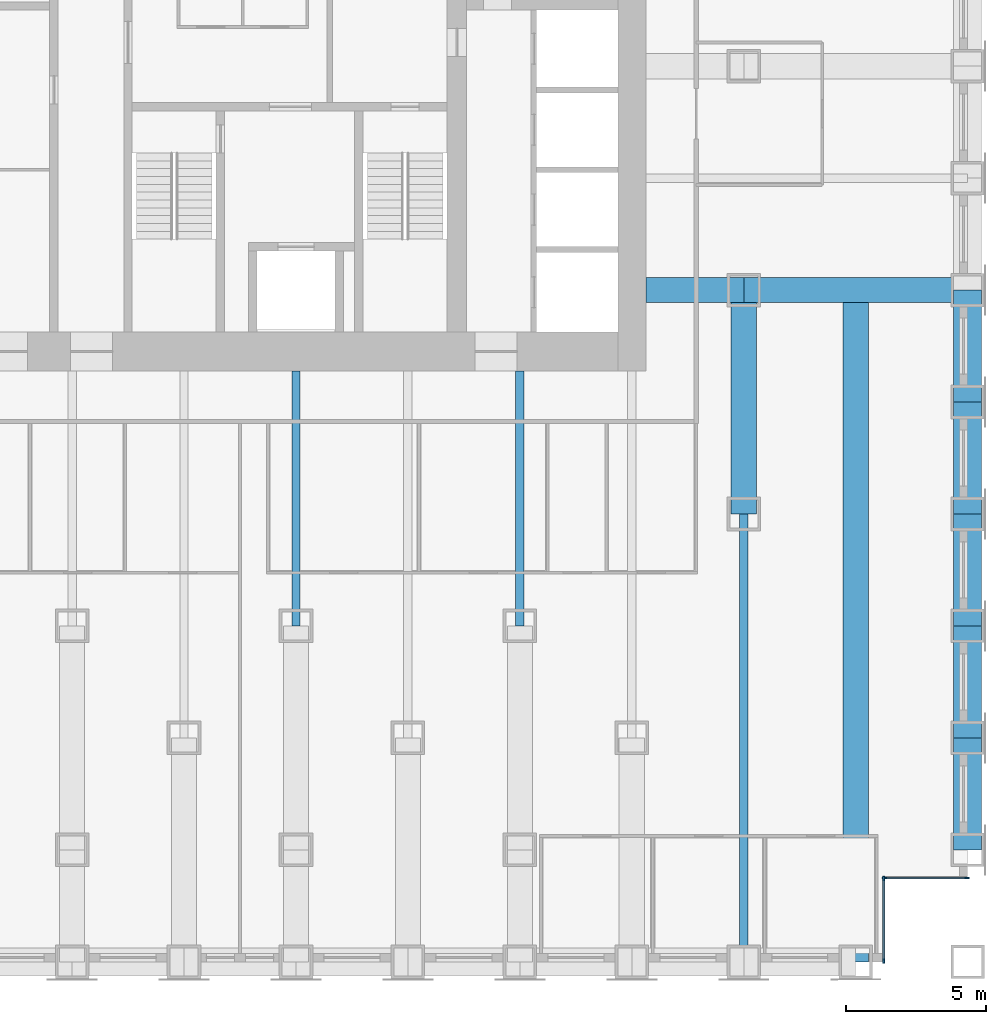
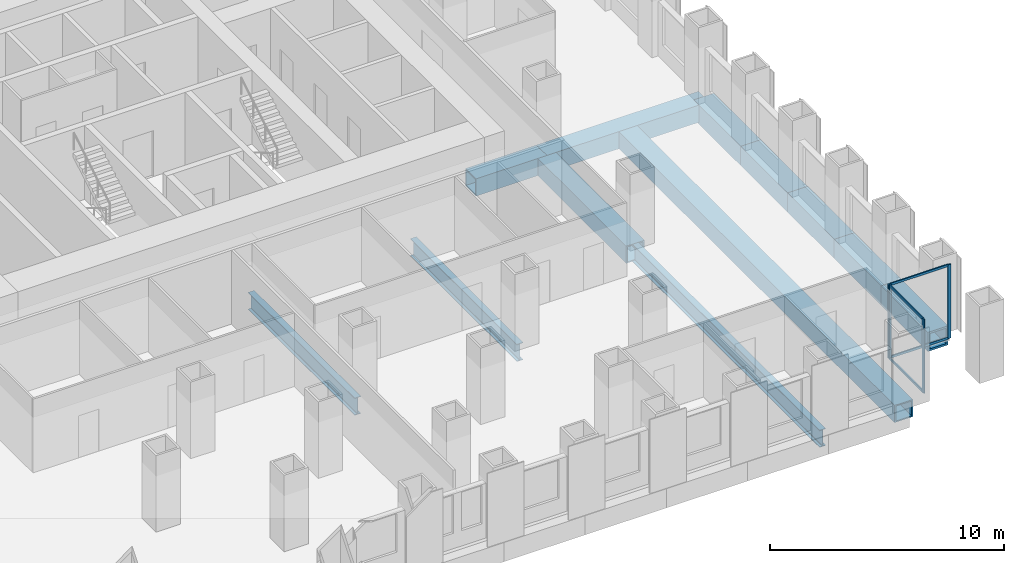
# One storey, part 4 of 15: 12 beams, 8 members, 2 elements without a shape of their own.
"""IFC4 building model written with IfcOpenShell, lengths in metres."""

from ifc_helpers import new_model, si_unit, direction, frame, origin, origin_2d, place, context, subcontext, project, spatial, rectangle, hollow_rectangle, i_section, extrude, material, material_profile, profile_set, type_object, element, aggregate, save


model = new_model("IFC4")

# Units and contexts
model_context = context("Model", 3, precision=1e-05, world=origin(), true_north=direction((0.0, 1.0)))
body_context = subcontext(model_context, "Body", "Model", "MODEL_VIEW")
ifc_project = project(units=[si_unit("LENGTHUNIT", "METRE"), si_unit("AREAUNIT", "SQUARE_METRE"), si_unit("VOLUMEUNIT", "CUBIC_METRE"), si_unit("PLANEANGLEUNIT", "RADIAN"), si_unit("MASSUNIT", "GRAM", prefix="KILO")], contexts=[model_context])

# Site, building, storey
site_placement = place(None, origin())
site = spatial("IfcSite", under=ifc_project, at=site_placement, CompositionType="ELEMENT")
building_placement = place(site_placement, origin())
building = spatial("IfcBuilding", under=site, at=building_placement, Name="Rimbunsela Tower", CompositionType="ELEMENT")
storey_placement = place(building_placement, frame((0.0, 0.0, 27.0)))
storey = spatial("IfcBuildingStorey", under=building, at=storey_placement, Name="L06", CompositionType="ELEMENT", Elevation=27.0)

# Beams
ifc_material_1 = material(Name="Steel BJ 55 (fy 410 MPa)", Category="steel")
ifc_material_profile_1 = material_profile(ifc_material_1, hollow_rectangle(XDim=1.0, YDim=1.0, WallThickness=0.10009765625, at=origin_2d()), Name="BOX 1000x1000x100")
ifc_profile_set_1 = profile_set([ifc_material_profile_1], Name="Steel BJ 55 (fy 410 MPa)")
beam_type_1 = type_object("IfcBeamType", Name="Beam BOX 1000x1000x100", PredefinedType="BEAM", material=ifc_profile_set_1)
for number, where, z_axis, x_axis, name in (
    (1, (54.0, 0.0, -0.64990234375), (0.0, 1.0, 0.0), (-1.0, 0.0, 0.0), "Beam B3 L06"),
    (2, (54.0, 4.0, -0.64990234375), (0.0, 1.0, 0.0), (-1.0, 0.0, 0.0), "Beam B3 L06"),
    (3, (54.0, 8.0, -0.64990234375), (0.0, 1.0, 0.0), (-1.0, 0.0, 0.0), "Beam B3 L06"),
    (4, (54.0, 12.0, -0.64990234375), (0.0, 1.0, 0.0), (-1.0, 0.0, 0.0), "Beam B3 L06"),
    (5, (54.0, 16.0, -0.64990234375), (0.0, 1.0, 0.0), (-1.0, 0.0, 0.0), "Beam B3 L06"),
):
    element("IfcBeam", number, at=place(storey_placement, frame(where, z_axis=z_axis, x_axis=x_axis)), inside=storey, type_object=beam_type_1, Name=name, PredefinedType="BEAM", context=body_context, shape_type="SweptSolid", body=[
        extrude(hollow_rectangle(XDim=1.0, YDim=1.0, WallThickness=0.10009765625, at=origin_2d()), origin(), (0.0, 0.0, 1.0), 4.0),
    ])
ifc_material_2 = material(Name="Steel BJ 55 (fy 410 MPa)", Category="steel")
ifc_material_profile_2 = material_profile(ifc_material_2, hollow_rectangle(XDim=0.89990234375, YDim=0.89990234375, WallThickness=0.06005859375, at=origin_2d()), Name="BOX 900x900x60")
ifc_profile_set_2 = profile_set([ifc_material_profile_2], Name="Steel BJ 55 (fy 410 MPa)")
beam_type_2 = type_object("IfcBeamType", Name="Beam BOX 900x900x60", PredefinedType="BEAM", material=ifc_profile_set_2)
beam_1_placement = place(storey_placement, frame((42.5, 20.0, -0.60009765625), z_axis=(1.0, 0.0, 0.0), x_axis=(0.0, 1.0, 0.0)))
element("IfcBeam", 6, at=beam_1_placement, inside=storey, type_object=beam_type_2, Name="Beam B1 L06", PredefinedType="BEAM", context=body_context, shape_type="SweptSolid", body=[
    extrude(hollow_rectangle(XDim=0.89990234375, YDim=0.89990234375, WallThickness=0.06005859375, at=origin_2d()), origin(), (0.0, 0.0, 1.0), 3.5),
])
for number, where, z_axis, x_axis, name in (
    (7, (46.0, 12.0, -0.60009765625), (0.0, 1.0, 0.0), (-1.0, 0.0, 0.0), "Beam B1 L06"),
    (8, (46.0, 20.0, -0.60009765625), (1.0, 0.0, 0.0), (0.0, 1.0, 0.0), "Beam B1 L06"),
):
    element("IfcBeam", number, at=place(storey_placement, frame(where, z_axis=z_axis, x_axis=x_axis)), inside=storey, type_object=beam_type_2, Name=name, PredefinedType="BEAM", context=body_context, shape_type="SweptSolid", body=[
        extrude(hollow_rectangle(XDim=0.89990234375, YDim=0.89990234375, WallThickness=0.06005859375, at=origin_2d()), origin(), (0.0, 0.0, 1.0), 8.0),
    ])
beam_2_placement = place(storey_placement, frame((50.0, -4.0, -0.60009765625), z_axis=(0.0, 1.0, 0.0), x_axis=(-1.0, 0.0, 0.0)))
element("IfcBeam", 9, at=beam_2_placement, inside=storey, type_object=beam_type_2, Name="Beam B1 L06", PredefinedType="BEAM", context=body_context, shape_type="SweptSolid", body=[
    extrude(hollow_rectangle(XDim=0.89990234375, YDim=0.89990234375, WallThickness=0.06005859375, at=origin_2d()), origin(), (0.0, 0.0, 1.0), 23.550048828125),
])
ifc_material_3 = material(Name="Steel BJ 55 (fy 410 MPa)", Category="steel")
ifc_material_profile_3 = material_profile(ifc_material_3, i_section(OverallWidth=0.300048828125, OverallDepth=0.89990234375, WebThickness=0.01611328125, FlangeThickness=0.028076171875, FilletRadius=0.028076171875, at=origin_2d()), Name="H 900x300x16x28")
ifc_profile_set_3 = profile_set([ifc_material_profile_3], Name="Steel BJ 55 (fy 410 MPa)")
beam_type_3 = type_object("IfcBeamType", Name="Beam H 900x300x16x28", PredefinedType="BEAM", material=ifc_profile_set_3)
for number, where, z_axis, x_axis, name in (
    (10, (30.0, 8.0, -0.60009765625), (0.0, 1.0, 0.0), (-1.0, 0.0, 0.0), "Beam B2 L06"),
    (11, (38.0, 8.0, -0.60009765625), (0.0, 1.0, 0.0), (-1.0, 0.0, 0.0), "Beam B2 L06"),
):
    element("IfcBeam", number, at=place(storey_placement, frame(where, z_axis=z_axis, x_axis=x_axis)), inside=storey, type_object=beam_type_3, Name=name, PredefinedType="BEAM", context=body_context, shape_type="SweptSolid", body=[
        extrude(i_section(OverallWidth=0.300048828125, OverallDepth=0.89990234375, WebThickness=0.01611328125, FlangeThickness=0.028076171875, FilletRadius=0.028076171875, at=origin_2d()), origin(), (0.0, 0.0, 1.0), 9.10009765625),
    ])
beam_3_placement = place(storey_placement, frame((46.0, -4.0, -0.60009765625), z_axis=(0.0, 1.0, 0.0), x_axis=(-1.0, 0.0, 0.0)))
element("IfcBeam", 12, at=beam_3_placement, inside=storey, type_object=beam_type_3, Name="Beam B2 L06", PredefinedType="BEAM", context=body_context, shape_type="SweptSolid", body=[
    extrude(i_section(OverallWidth=0.300048828125, OverallDepth=0.89990234375, WebThickness=0.01611328125, FlangeThickness=0.028076171875, FilletRadius=0.028076171875, at=origin_2d()), origin(), (0.0, 0.0, 1.0), 16.0),
])

# Curtain wall, members
ifc_material_4 = material(Name="Aluminium curtain wall", Category="aluminium")
curtain_wall_type = type_object("IfcCurtainWallType", Name="Corner glazing", PredefinedType="USERDEFINED", material=ifc_material_4)
curtain_wall_1_placement = place(storey_placement, origin())
curtain_wall_1 = element("IfcCurtainWall", 13, at=curtain_wall_1_placement, inside=storey, type_object=curtain_wall_type, Name="Corner glazing L06", ObjectType="CORNER GLAZING", PredefinedType="USERDEFINED")
ifc_material_5 = material(Name="Aluminium mullion", Category="aluminium")
ifc_material_profile_4 = material_profile(ifc_material_5, rectangle(XDim=0.06005859375, YDim=0.159912109375, at=origin_2d()), Name="Mullion 60x160")
ifc_profile_set_4 = profile_set([ifc_material_profile_4], Name="Aluminium mullion")
member_type_1 = type_object("IfcMemberType", Name="Curtain wall mullion 60x160", PredefinedType="MULLION", material=ifc_profile_set_4)
member_1_placement = place(storey_placement, frame((51.0, -3.969970703125, 0.0), z_axis=(0.0, 0.0, 1.0), x_axis=(-1.0, 0.0, 0.0)))
member_1 = element("IfcMember", 14, at=member_1_placement, type_object=member_type_1, Name="CW5 mullion 1", PredefinedType="MULLION", context=body_context, shape_type="SweptSolid", body=[
    extrude(rectangle(XDim=0.06005859375, YDim=0.159912109375, at=origin_2d()), origin(), (0.0, 0.0, 1.0), 3.85009765625),
])
member_2_placement = place(storey_placement, frame((51.0, -1.030029296875, 0.0), z_axis=(0.0, 0.0, 1.0), x_axis=(-1.0, 0.0, 0.0)))
member_2 = element("IfcMember", 15, at=member_2_placement, type_object=member_type_1, Name="CW5 mullion 2", PredefinedType="MULLION", context=body_context, shape_type="SweptSolid", body=[
    extrude(rectangle(XDim=0.06005859375, YDim=0.159912109375, at=origin_2d()), origin(), (0.0, 0.0, 1.0), 3.85009765625),
])

curtain_wall_2_placement = place(storey_placement, origin())
curtain_wall_2 = element("IfcCurtainWall", 16, at=curtain_wall_2_placement, inside=storey, type_object=curtain_wall_type, Name="Corner glazing L06", ObjectType="CORNER GLAZING", PredefinedType="USERDEFINED")
member_3_placement = place(storey_placement, frame((51.030029296875, -1.0, 0.0), z_axis=(0.0, 0.0, 1.0), x_axis=(0.0, 1.0, 0.0)))
member_3 = element("IfcMember", 17, at=member_3_placement, type_object=member_type_1, Name="CW5 mullion 1", PredefinedType="MULLION", context=body_context, shape_type="SweptSolid", body=[
    extrude(rectangle(XDim=0.06005859375, YDim=0.159912109375, at=origin_2d()), origin(), (0.0, 0.0, 1.0), 3.85009765625),
])
member_4_placement = place(storey_placement, frame((53.969970703125, -1.0, 0.0), z_axis=(0.0, 0.0, 1.0), x_axis=(0.0, 1.0, 0.0)))
member_4 = element("IfcMember", 18, at=member_4_placement, type_object=member_type_1, Name="CW5 mullion 2", PredefinedType="MULLION", context=body_context, shape_type="SweptSolid", body=[
    extrude(rectangle(XDim=0.06005859375, YDim=0.159912109375, at=origin_2d()), origin(), (0.0, 0.0, 1.0), 3.85009765625),
])

# Member
ifc_material_6 = material(Name="Aluminium transom", Category="aluminium")
ifc_material_profile_5 = material_profile(ifc_material_6, rectangle(XDim=0.06005859375, YDim=0.1201171875, at=origin_2d()), Name="Transom 60x120")
ifc_profile_set_5 = profile_set([ifc_material_profile_5], Name="Aluminium transom")
member_type_2 = type_object("IfcMemberType", Name="Curtain wall transom 60x120", PredefinedType="USERDEFINED", material=ifc_profile_set_5)
member_5_placement = place(storey_placement, frame((51.0, -3.93994140625, 0.030029296875), z_axis=(0.0, 1.0, 0.0), x_axis=(-1.0, 0.0, 0.0)))
member_5 = element("IfcMember", 19, at=member_5_placement, type_object=member_type_2, Name="CW5 transom 1.1", ObjectType="TRANSOM", PredefinedType="USERDEFINED", context=body_context, shape_type="SweptSolid", body=[
    extrude(rectangle(XDim=0.06005859375, YDim=0.1201171875, at=origin_2d()), origin(), (0.0, 0.0, 1.0), 2.8798828125),
])

member_6_placement = place(storey_placement, frame((51.0, -3.93994140625, 3.820068359375), z_axis=(0.0, 1.0, 0.0), x_axis=(-1.0, 0.0, 0.0)))
member_6 = element("IfcMember", 20, at=member_6_placement, type_object=member_type_2, Name="CW5 transom 1.2", ObjectType="TRANSOM", PredefinedType="USERDEFINED", context=body_context, shape_type="SweptSolid", body=[
    extrude(rectangle(XDim=0.06005859375, YDim=0.1201171875, at=origin_2d()), origin(), (0.0, 0.0, 1.0), 2.8798828125),
])

aggregate(curtain_wall_1, [member_1, member_2, member_5, member_6])

member_7_placement = place(storey_placement, frame((51.06005859375, -1.0, 0.030029296875), z_axis=(1.0, 0.0, 0.0), x_axis=(0.0, 1.0, 0.0)))
member_7 = element("IfcMember", 21, at=member_7_placement, type_object=member_type_2, Name="CW5 transom 1.1", ObjectType="TRANSOM", PredefinedType="USERDEFINED", context=body_context, shape_type="SweptSolid", body=[
    extrude(rectangle(XDim=0.06005859375, YDim=0.1201171875, at=origin_2d()), origin(), (0.0, 0.0, 1.0), 2.8798828125),
])

member_8_placement = place(storey_placement, frame((51.06005859375, -1.0, 3.820068359375), z_axis=(1.0, 0.0, 0.0), x_axis=(0.0, 1.0, 0.0)))
member_8 = element("IfcMember", 22, at=member_8_placement, type_object=member_type_2, Name="CW5 transom 1.2", ObjectType="TRANSOM", PredefinedType="USERDEFINED", context=body_context, shape_type="SweptSolid", body=[
    extrude(rectangle(XDim=0.06005859375, YDim=0.1201171875, at=origin_2d()), origin(), (0.0, 0.0, 1.0), 2.8798828125),
])

aggregate(curtain_wall_2, [member_3, member_4, member_7, member_8])

save(model, "model.ifc")
